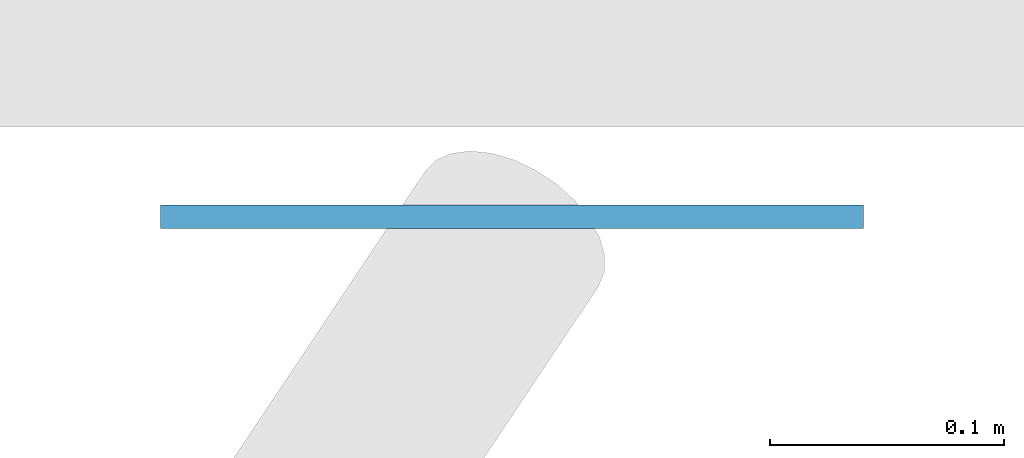
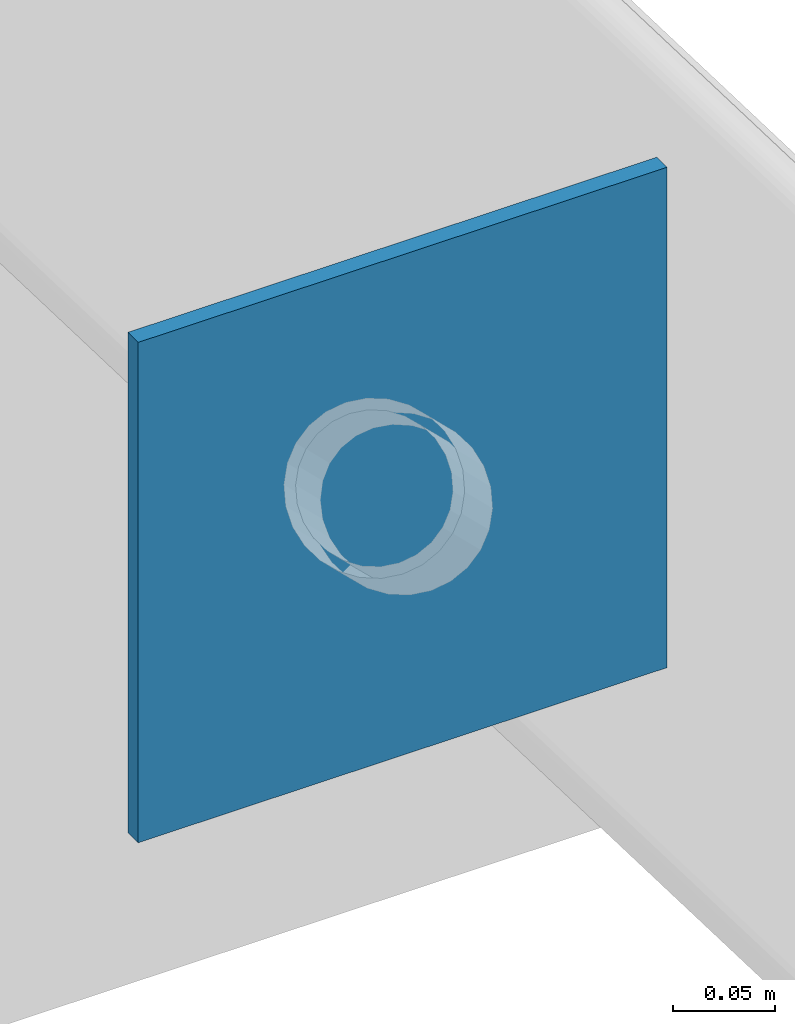
# One storey, part 35 of 43: 1 discrete accessory.
"""IFC4 building model written with IfcOpenShell, lengths in metres."""

from ifc_helpers import new_model, si_unit, direction, frame, origin, origin_2d, place, context, subcontext, project, spatial, rectangle, extrude, material, material_profile, profile_set, type_object, element, save


model = new_model("IFC4")

# Units and contexts
model_context = context("Model", 3, precision=1e-05, world=origin(), true_north=direction((0.0, 1.0)))
body_context = subcontext(model_context, "Body", "Model", "MODEL_VIEW")
ifc_project = project(units=[si_unit("LENGTHUNIT", "METRE"), si_unit("AREAUNIT", "SQUARE_METRE"), si_unit("VOLUMEUNIT", "CUBIC_METRE"), si_unit("PLANEANGLEUNIT", "RADIAN"), si_unit("MASSUNIT", "GRAM", prefix="KILO")], contexts=[model_context])

# Site, building, storey
site_placement = place(None, origin())
site = spatial("IfcSite", under=ifc_project, at=site_placement, CompositionType="ELEMENT")
building_placement = place(site_placement, origin())
building = spatial("IfcBuilding", under=site, at=building_placement, Name="Saffron Lane Theatres", CompositionType="ELEMENT")
storey_placement = place(building_placement, frame((0.0, 0.0, 23.0)))
storey = spatial("IfcBuildingStorey", under=building, at=storey_placement, Name="Roof", CompositionType="ELEMENT", Elevation=23.0)

# Discrete accessory
ifc_material = material(Name="Steel Grade 350", Category="steel")
ifc_material_profile = material_profile(ifc_material, rectangle(XDim=0.300048828125, YDim=0.300048828125, at=origin_2d()))
ifc_profile_set = profile_set([ifc_material_profile], Name="Steel Grade 350")
discrete_accessory_type = type_object("IfcDiscreteAccessoryType", Name="ST-GUSSET CONNECTION PLATE", PredefinedType="BRACKET", material=ifc_profile_set)
discrete_accessory_placement = place(storey_placement, frame((47.372314453125, 89.216796875, -1.570556640625), z_axis=(0.0, -1.0, 0.0), x_axis=(1.0, 0.0, 0.0)))
element("IfcDiscreteAccessory", 1, at=discrete_accessory_placement, inside=storey, type_object=discrete_accessory_type, Name="GB96", PredefinedType="BRACKET", context=body_context, shape_type="SweptSolid", body=[
    extrude(rectangle(XDim=0.300048828125, YDim=0.300048828125, at=origin_2d()), origin(), (0.0, 0.0, 1.0), 0.010009765625),
])

save(model, "model.ifc")
